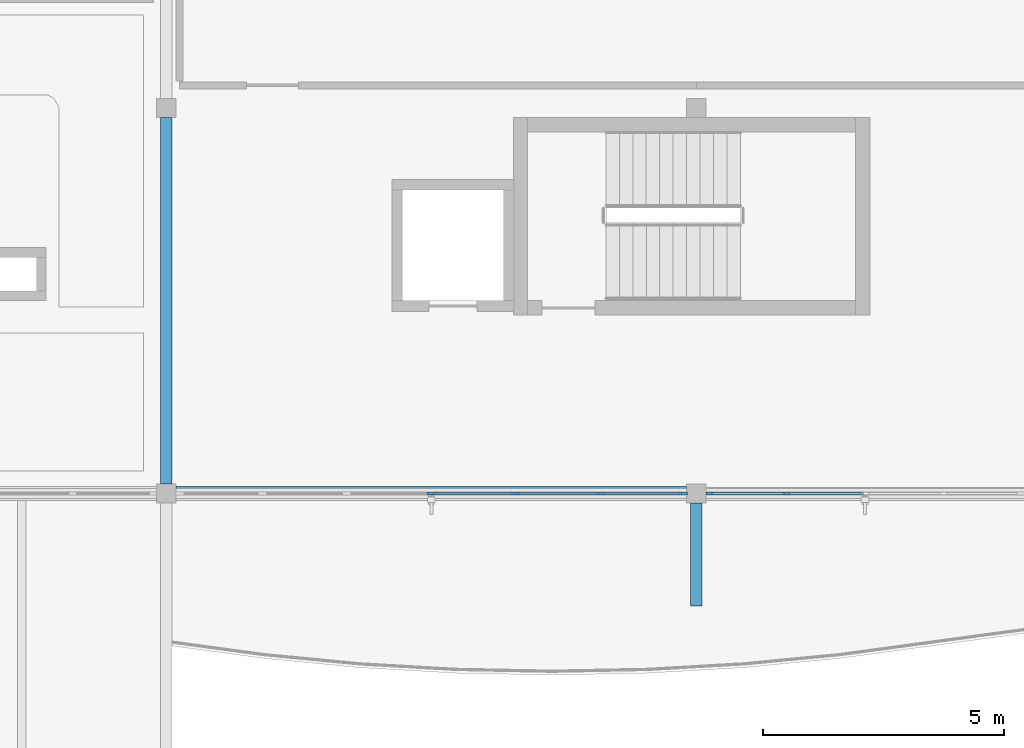
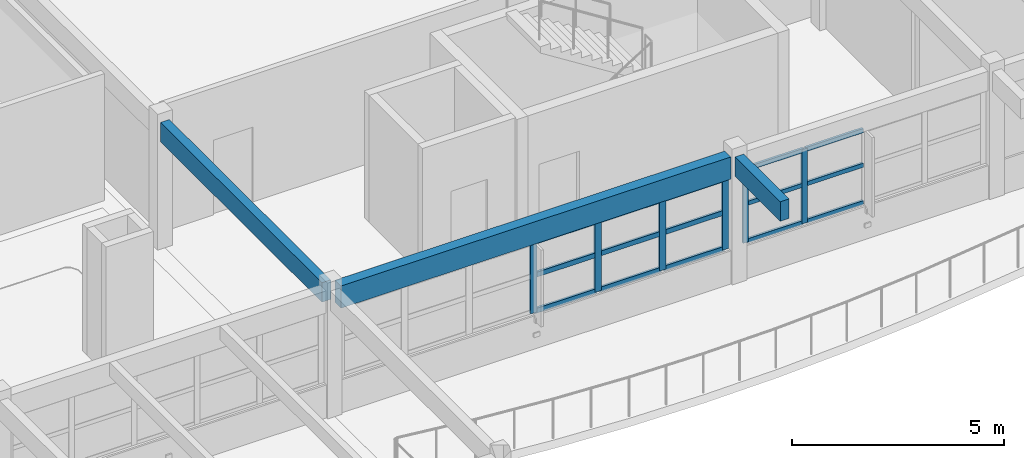
# One storey, part 21 of 63: 21 members, 3 beams, 2 elements without a shape of their own.
"""IFC4 building model written with IfcOpenShell, lengths in metres."""

from ifc_helpers import new_model, si_unit, direction, frame, origin, origin_2d, place, context, subcontext, project, spatial, rectangle, extrude, material, layer, layer_set, material_profile, profile_set, type_object, element, aggregate, save


model = new_model("IFC4")

# Units and contexts
model_context = context("Model", 3, precision=1e-05, world=origin(), true_north=direction((0.0, 1.0)))
body_context = subcontext(model_context, "Body", "Model", "MODEL_VIEW")
ifc_project = project(units=[si_unit("LENGTHUNIT", "METRE"), si_unit("AREAUNIT", "SQUARE_METRE"), si_unit("VOLUMEUNIT", "CUBIC_METRE"), si_unit("PLANEANGLEUNIT", "RADIAN"), si_unit("MASSUNIT", "GRAM", prefix="KILO")], contexts=[model_context])

# Site, building, storey
site_placement = place(None, origin())
site = spatial("IfcSite", under=ifc_project, at=site_placement, CompositionType="ELEMENT")
building_placement = place(site_placement, origin())
building = spatial("IfcBuilding", under=site, at=building_placement, Name="Tonlespit Floodbar School", CompositionType="ELEMENT")
storey_placement = place(building_placement, frame((0.0, 0.0, 8.39990234375)))
storey = spatial("IfcBuildingStorey", under=building, at=storey_placement, Name="L02", CompositionType="ELEMENT", Elevation=8.39990234375)

# Beams
ifc_material_1 = material(Name="Glulam GL28h", Category="wood")
ifc_material_profile_1 = material_profile(ifc_material_1, rectangle(XDim=0.239990234375, YDim=0.56005859375, at=origin_2d()), Name="GL 240x560")
ifc_profile_set_1 = profile_set([ifc_material_profile_1], Name="Glulam GL28h")
beam_type_1 = type_object("IfcBeamType", Name="Beam_GL_240x560", PredefinedType="BEAM", material=ifc_profile_set_1)
beam_1_placement = place(storey_placement, frame((116.0, 104.199951171875, 3.364990234375), z_axis=(0.0, 1.0, 0.0), x_axis=(-1.0, 0.0, 0.0)))
element("IfcBeam", 1, at=beam_1_placement, inside=storey, type_object=beam_type_1, Name="L02 girder 1046", PredefinedType="BEAM", context=body_context, shape_type="SweptSolid", body=[
    extrude(rectangle(XDim=0.239990234375, YDim=0.56005859375, at=origin_2d()), origin(), (0.0, 0.0, 1.0), 7.60009765625),
])
beam_2_placement = place(storey_placement, frame((127.0, 103.800048828125, 3.3759765625), z_axis=(0.0, -1.0, 0.0), x_axis=(1.0, 0.0, 0.0)))
element("IfcBeam", 2, at=beam_2_placement, inside=storey, type_object=beam_type_1, Name="L02 V4 south court gallery rib", PredefinedType="BEAM", context=body_context, shape_type="SweptSolid", body=[
    extrude(rectangle(XDim=0.239990234375, YDim=0.56005859375, at=origin_2d()), origin(), (0.0, 0.0, 1.0), 2.132568359375),
])
ifc_material_profile_2 = material_profile(ifc_material_1, rectangle(XDim=0.280029296875, YDim=0.639892578125, at=origin_2d()), Name="GL 280x640")
ifc_profile_set_2 = profile_set([ifc_material_profile_2], Name="Glulam GL28h")
beam_type_2 = type_object("IfcBeamType", Name="Beam_GL_280x640", PredefinedType="BEAM", material=ifc_profile_set_2)
beam_3_placement = place(storey_placement, frame((116.199951171875, 104.0, 3.3251953125), z_axis=(1.0, 0.0, 0.0), x_axis=(0.0, 1.0, 0.0)))
element("IfcBeam", 3, at=beam_3_placement, inside=storey, type_object=beam_type_2, Name="L02 girder 0967", PredefinedType="BEAM", context=body_context, shape_type="SweptSolid", body=[
    extrude(rectangle(XDim=0.280029296875, YDim=0.639892578125, at=origin_2d()), origin(), (0.0, 0.0, 1.0), 10.60009765625),
])

# Curtain wall, members
ifc_material_2 = material(Name="Anodised Aluminium", Category="aluminium")
ifc_layer_1 = layer(ifc_material_2, 0.159912109375)
ifc_layer_set_1 = layer_set([ifc_layer_1], Name="Anodised Aluminium")
curtain_wall_type_1 = type_object("IfcCurtainWallType", Name="CurtainWall_6500x2150", PredefinedType="NOTDEFINED", material=ifc_layer_set_1)
curtain_wall_1_placement = place(storey_placement, origin())
curtain_wall_1 = element("IfcCurtainWall", 4, at=curtain_wall_1_placement, inside=storey, type_object=curtain_wall_type_1, Name="L02 unitised curtain wall 0444", PredefinedType="NOTDEFINED")
ifc_material_profile_3 = material_profile(ifc_material_2, rectangle(XDim=0.06494140625, YDim=0.14990234375, at=origin_2d()), Name="ALU M65x150")
ifc_profile_set_3 = profile_set([ifc_material_profile_3], Name="Anodised Aluminium")
member_type_1 = type_object("IfcMemberType", Name="CW_Mullion_65x150", PredefinedType="MULLION", material=ifc_profile_set_3)
member_1_placement = place(storey_placement, frame((128.8701171875, 104.0, 0.9501953125), z_axis=(0.0, 0.0, 1.0), x_axis=(0.0, -1.0, 0.0)))
member_1 = element("IfcMember", 5, at=member_1_placement, type_object=member_type_1, Name="CW-67 mullion 4", PredefinedType="MULLION", context=body_context, shape_type="SweptSolid", body=[
    extrude(rectangle(XDim=0.06494140625, YDim=0.14990234375, at=origin_2d()), origin(), (0.0, 0.0, 1.0), 2.135009765625),
])
member_2_placement = place(storey_placement, frame((127.2724609375, 104.0, 0.9501953125), z_axis=(0.0, 0.0, 1.0), x_axis=(0.0, -1.0, 0.0)))
member_2 = element("IfcMember", 6, at=member_2_placement, type_object=member_type_1, Name="CW-67 mullion 5", PredefinedType="MULLION", context=body_context, shape_type="SweptSolid", body=[
    extrude(rectangle(XDim=0.06494140625, YDim=0.14990234375, at=origin_2d()), origin(), (0.0, 0.0, 1.0), 2.135009765625),
])

ifc_layer_2 = layer(ifc_material_2, 0.159912109375)
ifc_layer_set_2 = layer_set([ifc_layer_2], Name="Anodised Aluminium")
curtain_wall_type_2 = type_object("IfcCurtainWallType", Name="CurtainWall_10500x2050", PredefinedType="NOTDEFINED", material=ifc_layer_set_2)
curtain_wall_2_placement = place(storey_placement, origin())
curtain_wall_2 = element("IfcCurtainWall", 7, at=curtain_wall_2_placement, inside=storey, type_object=curtain_wall_type_2, Name="L02 unitised curtain wall 0445", PredefinedType="NOTDEFINED")
ifc_material_profile_4 = material_profile(ifc_material_2, rectangle(XDim=0.06494140625, YDim=0.179931640625, at=origin_2d()), Name="ALU M65x180")
ifc_profile_set_4 = profile_set([ifc_material_profile_4], Name="Anodised Aluminium")
member_type_2 = type_object("IfcMemberType", Name="CW_Mullion_65x180", PredefinedType="MULLION", material=ifc_profile_set_4)
member_3_placement = place(storey_placement, frame((126.7275390625, 104.0, 0.9501953125), z_axis=(0.0, 0.0, 1.0), x_axis=(0.0, -1.0, 0.0)))
member_3 = element("IfcMember", 8, at=member_3_placement, type_object=member_type_2, Name="CW-68 mullion 1", PredefinedType="MULLION", context=body_context, shape_type="SweptSolid", body=[
    extrude(rectangle(XDim=0.06494140625, YDim=0.179931640625, at=origin_2d()), origin(), (0.0, 0.0, 1.0), 2.054931640625),
])
member_4_placement = place(storey_placement, frame((125.006591796875, 104.0, 0.9501953125), z_axis=(0.0, 0.0, 1.0), x_axis=(0.0, -1.0, 0.0)))
member_4 = element("IfcMember", 9, at=member_4_placement, type_object=member_type_2, Name="CW-68 mullion 2", PredefinedType="MULLION", context=body_context, shape_type="SweptSolid", body=[
    extrude(rectangle(XDim=0.06494140625, YDim=0.179931640625, at=origin_2d()), origin(), (0.0, 0.0, 1.0), 2.054931640625),
])
member_5_placement = place(storey_placement, frame((123.25341796875, 104.0, 0.9501953125), z_axis=(0.0, 0.0, 1.0), x_axis=(0.0, -1.0, 0.0)))
member_5 = element("IfcMember", 10, at=member_5_placement, type_object=member_type_2, Name="CW-68 mullion 3", PredefinedType="MULLION", context=body_context, shape_type="SweptSolid", body=[
    extrude(rectangle(XDim=0.06494140625, YDim=0.179931640625, at=origin_2d()), origin(), (0.0, 0.0, 1.0), 2.054931640625),
])
member_6_placement = place(storey_placement, frame((121.5, 104.0, 0.9501953125), z_axis=(0.0, 0.0, 1.0), x_axis=(0.0, -1.0, 0.0)))
member_6 = element("IfcMember", 11, at=member_6_placement, type_object=member_type_2, Name="CW-68 mullion 4", PredefinedType="MULLION", context=body_context, shape_type="SweptSolid", body=[
    extrude(rectangle(XDim=0.06494140625, YDim=0.179931640625, at=origin_2d()), origin(), (0.0, 0.0, 1.0), 2.054931640625),
])

# Member
ifc_material_profile_5 = material_profile(ifc_material_2, rectangle(XDim=0.06494140625, YDim=0.1201171875, at=origin_2d()), Name="ALU T65x120")
ifc_profile_set_5 = profile_set([ifc_material_profile_5], Name="Anodised Aluminium")
member_type_3 = type_object("IfcMemberType", Name="CW_Transom_65x120", PredefinedType="USERDEFINED", material=ifc_profile_set_5)
member_7_placement = place(storey_placement, frame((130.467529296875, 104.0, 0.982666015625), z_axis=(-1.0, 0.0, 0.0), x_axis=(0.0, -1.0, 0.0)))
member_7 = element("IfcMember", 12, at=member_7_placement, type_object=member_type_3, Name="CW-67 transom 3.1", ObjectType="TRANSOM", PredefinedType="USERDEFINED", context=body_context, shape_type="SweptSolid", body=[
    extrude(rectangle(XDim=0.06494140625, YDim=0.1201171875, at=origin_2d()), origin(), (0.0, 0.0, 1.0), 1.56494140625),
])

member_8_placement = place(storey_placement, frame((130.467529296875, 104.0, 2.060302734375), z_axis=(-1.0, 0.0, 0.0), x_axis=(0.0, -1.0, 0.0)))
member_8 = element("IfcMember", 13, at=member_8_placement, type_object=member_type_3, Name="CW-67 transom 3.2", ObjectType="TRANSOM", PredefinedType="USERDEFINED", context=body_context, shape_type="SweptSolid", body=[
    extrude(rectangle(XDim=0.06494140625, YDim=0.1201171875, at=origin_2d()), origin(), (0.0, 0.0, 1.0), 1.56494140625),
])

member_9_placement = place(storey_placement, frame((130.467529296875, 104.0, 3.052490234375), z_axis=(-1.0, 0.0, 0.0), x_axis=(0.0, -1.0, 0.0)))
member_9 = element("IfcMember", 14, at=member_9_placement, type_object=member_type_3, Name="CW-67 transom 3.3", ObjectType="TRANSOM", PredefinedType="USERDEFINED", context=body_context, shape_type="SweptSolid", body=[
    extrude(rectangle(XDim=0.06494140625, YDim=0.1201171875, at=origin_2d()), origin(), (0.0, 0.0, 1.0), 1.56494140625),
])

member_10_placement = place(storey_placement, frame((128.83740234375, 104.0, 0.982666015625), z_axis=(-1.0, 0.0, 0.0), x_axis=(0.0, -1.0, 0.0)))
member_10 = element("IfcMember", 15, at=member_10_placement, type_object=member_type_3, Name="CW-67 transom 4.1", ObjectType="TRANSOM", PredefinedType="USERDEFINED", context=body_context, shape_type="SweptSolid", body=[
    extrude(rectangle(XDim=0.06494140625, YDim=0.1201171875, at=origin_2d()), origin(), (0.0, 0.0, 1.0), 1.532470703125),
])

member_11_placement = place(storey_placement, frame((128.83740234375, 104.0, 2.060302734375), z_axis=(-1.0, 0.0, 0.0), x_axis=(0.0, -1.0, 0.0)))
member_11 = element("IfcMember", 16, at=member_11_placement, type_object=member_type_3, Name="CW-67 transom 4.2", ObjectType="TRANSOM", PredefinedType="USERDEFINED", context=body_context, shape_type="SweptSolid", body=[
    extrude(rectangle(XDim=0.06494140625, YDim=0.1201171875, at=origin_2d()), origin(), (0.0, 0.0, 1.0), 1.532470703125),
])

member_12_placement = place(storey_placement, frame((128.83740234375, 104.0, 3.052490234375), z_axis=(-1.0, 0.0, 0.0), x_axis=(0.0, -1.0, 0.0)))
member_12 = element("IfcMember", 17, at=member_12_placement, type_object=member_type_3, Name="CW-67 transom 4.3", ObjectType="TRANSOM", PredefinedType="USERDEFINED", context=body_context, shape_type="SweptSolid", body=[
    extrude(rectangle(XDim=0.06494140625, YDim=0.1201171875, at=origin_2d()), origin(), (0.0, 0.0, 1.0), 1.532470703125),
])

aggregate(curtain_wall_1, [member_1, member_2, member_7, member_8, member_9, member_10, member_11, member_12])

ifc_material_profile_6 = material_profile(ifc_material_2, rectangle(XDim=0.06494140625, YDim=0.139892578125, at=origin_2d()), Name="ALU T65x140")
ifc_profile_set_6 = profile_set([ifc_material_profile_6], Name="Anodised Aluminium")
member_type_4 = type_object("IfcMemberType", Name="CW_Transom_65x140", PredefinedType="USERDEFINED", material=ifc_profile_set_6)
member_13_placement = place(storey_placement, frame((126.695068359375, 104.0, 0.982666015625), z_axis=(-1.0, 0.0, 0.0), x_axis=(0.0, -1.0, 0.0)))
member_13 = element("IfcMember", 18, at=member_13_placement, type_object=member_type_4, Name="CW-68 transom 1.1", ObjectType="TRANSOM", PredefinedType="USERDEFINED", context=body_context, shape_type="SweptSolid", body=[
    extrude(rectangle(XDim=0.06494140625, YDim=0.139892578125, at=origin_2d()), origin(), (0.0, 0.0, 1.0), 1.656005859375),
])

member_14_placement = place(storey_placement, frame((126.695068359375, 104.0, 2.018798828125), z_axis=(-1.0, 0.0, 0.0), x_axis=(0.0, -1.0, 0.0)))
member_14 = element("IfcMember", 19, at=member_14_placement, type_object=member_type_4, Name="CW-68 transom 1.2", ObjectType="TRANSOM", PredefinedType="USERDEFINED", context=body_context, shape_type="SweptSolid", body=[
    extrude(rectangle(XDim=0.06494140625, YDim=0.139892578125, at=origin_2d()), origin(), (0.0, 0.0, 1.0), 1.656005859375),
])

member_15_placement = place(storey_placement, frame((126.695068359375, 104.0, 2.97265625), z_axis=(-1.0, 0.0, 0.0), x_axis=(0.0, -1.0, 0.0)))
member_15 = element("IfcMember", 20, at=member_15_placement, type_object=member_type_4, Name="CW-68 transom 1.3", ObjectType="TRANSOM", PredefinedType="USERDEFINED", context=body_context, shape_type="SweptSolid", body=[
    extrude(rectangle(XDim=0.06494140625, YDim=0.139892578125, at=origin_2d()), origin(), (0.0, 0.0, 1.0), 1.656005859375),
])

member_16_placement = place(storey_placement, frame((124.97412109375, 104.0, 0.982666015625), z_axis=(-1.0, 0.0, 0.0), x_axis=(0.0, -1.0, 0.0)))
member_16 = element("IfcMember", 21, at=member_16_placement, type_object=member_type_4, Name="CW-68 transom 2.1", ObjectType="TRANSOM", PredefinedType="USERDEFINED", context=body_context, shape_type="SweptSolid", body=[
    extrude(rectangle(XDim=0.06494140625, YDim=0.139892578125, at=origin_2d()), origin(), (0.0, 0.0, 1.0), 1.688232421875),
])

member_17_placement = place(storey_placement, frame((124.97412109375, 104.0, 2.018798828125), z_axis=(-1.0, 0.0, 0.0), x_axis=(0.0, -1.0, 0.0)))
member_17 = element("IfcMember", 22, at=member_17_placement, type_object=member_type_4, Name="CW-68 transom 2.2", ObjectType="TRANSOM", PredefinedType="USERDEFINED", context=body_context, shape_type="SweptSolid", body=[
    extrude(rectangle(XDim=0.06494140625, YDim=0.139892578125, at=origin_2d()), origin(), (0.0, 0.0, 1.0), 1.688232421875),
])

member_18_placement = place(storey_placement, frame((124.97412109375, 104.0, 2.97265625), z_axis=(-1.0, 0.0, 0.0), x_axis=(0.0, -1.0, 0.0)))
member_18 = element("IfcMember", 23, at=member_18_placement, type_object=member_type_4, Name="CW-68 transom 2.3", ObjectType="TRANSOM", PredefinedType="USERDEFINED", context=body_context, shape_type="SweptSolid", body=[
    extrude(rectangle(XDim=0.06494140625, YDim=0.139892578125, at=origin_2d()), origin(), (0.0, 0.0, 1.0), 1.688232421875),
])

member_19_placement = place(storey_placement, frame((123.220947265625, 104.0, 0.982666015625), z_axis=(-1.0, 0.0, 0.0), x_axis=(0.0, -1.0, 0.0)))
member_19 = element("IfcMember", 24, at=member_19_placement, type_object=member_type_4, Name="CW-68 transom 3.1", ObjectType="TRANSOM", PredefinedType="USERDEFINED", context=body_context, shape_type="SweptSolid", body=[
    extrude(rectangle(XDim=0.06494140625, YDim=0.139892578125, at=origin_2d()), origin(), (0.0, 0.0, 1.0), 1.6884765625),
])

member_20_placement = place(storey_placement, frame((123.220947265625, 104.0, 2.018798828125), z_axis=(-1.0, 0.0, 0.0), x_axis=(0.0, -1.0, 0.0)))
member_20 = element("IfcMember", 25, at=member_20_placement, type_object=member_type_4, Name="CW-68 transom 3.2", ObjectType="TRANSOM", PredefinedType="USERDEFINED", context=body_context, shape_type="SweptSolid", body=[
    extrude(rectangle(XDim=0.06494140625, YDim=0.139892578125, at=origin_2d()), origin(), (0.0, 0.0, 1.0), 1.6884765625),
])

member_21_placement = place(storey_placement, frame((123.220947265625, 104.0, 2.97265625), z_axis=(-1.0, 0.0, 0.0), x_axis=(0.0, -1.0, 0.0)))
member_21 = element("IfcMember", 26, at=member_21_placement, type_object=member_type_4, Name="CW-68 transom 3.3", ObjectType="TRANSOM", PredefinedType="USERDEFINED", context=body_context, shape_type="SweptSolid", body=[
    extrude(rectangle(XDim=0.06494140625, YDim=0.139892578125, at=origin_2d()), origin(), (0.0, 0.0, 1.0), 1.6884765625),
])

aggregate(curtain_wall_2, [member_3, member_4, member_5, member_6, member_13, member_14, member_15, member_16, member_17, member_18, member_19, member_20, member_21])

save(model, "model.ifc")
